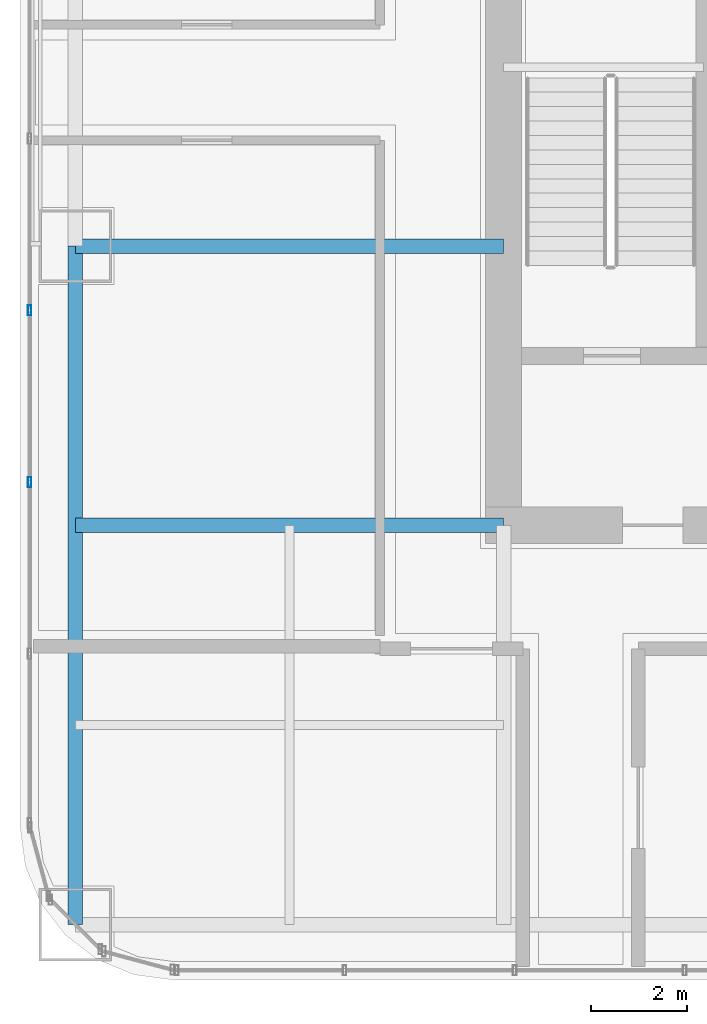
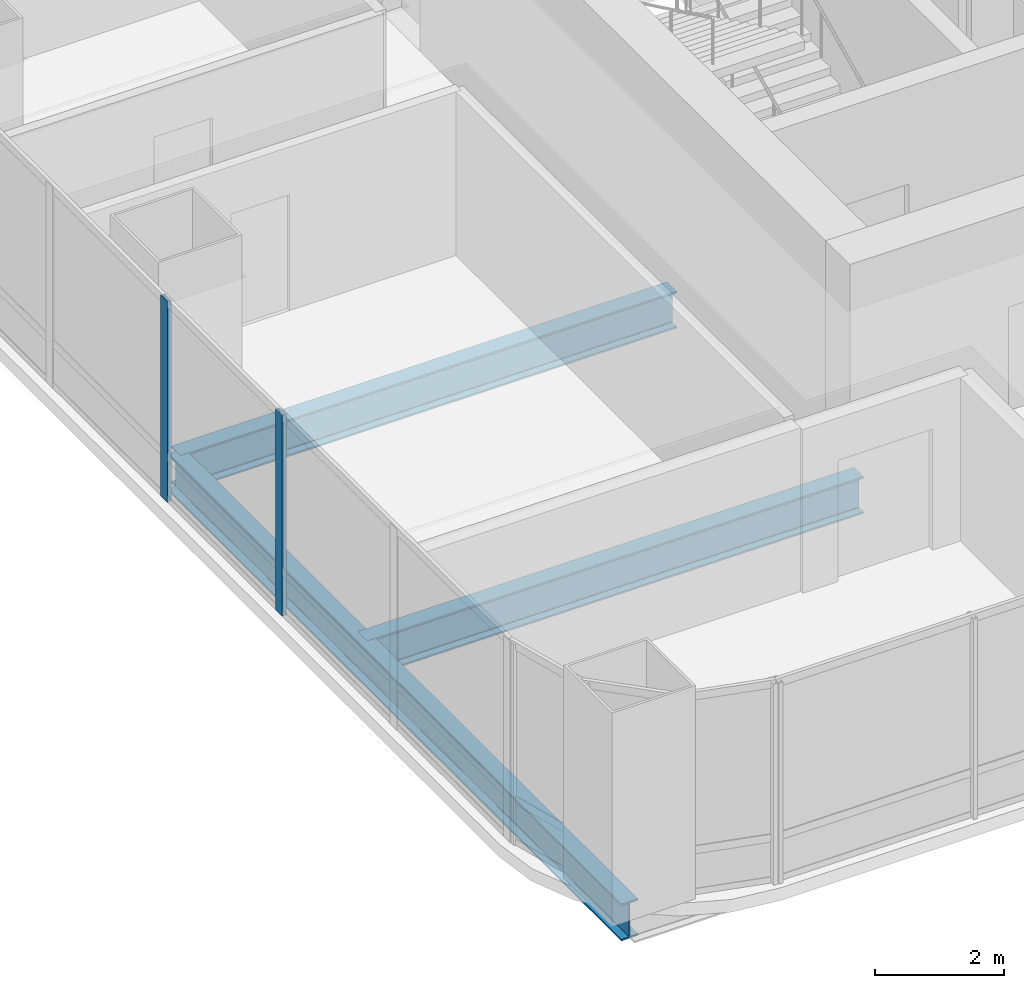
# One storey, part 4 of 34: 3 beams, 2 members, 1 element without a shape of its own.
"""IFC4 building model written with IfcOpenShell, lengths in metres."""

from ifc_helpers import new_model, si_unit, direction, frame, origin, origin_2d, place, context, subcontext, project, spatial, hollow_rectangle, i_section, extrude, material, material_profile, profile_set, type_object, element, aggregate, save


model = new_model("IFC4")

# Units and contexts
model_context = context("Model", 3, precision=1e-05, world=origin(), true_north=direction((0.0, 1.0)))
body_context = subcontext(model_context, "Body", "Model", "MODEL_VIEW")
ifc_project = project(units=[si_unit("LENGTHUNIT", "METRE"), si_unit("AREAUNIT", "SQUARE_METRE"), si_unit("VOLUMEUNIT", "CUBIC_METRE"), si_unit("PLANEANGLEUNIT", "RADIAN"), si_unit("MASSUNIT", "GRAM", prefix="KILO")], contexts=[model_context])

# Site, building, storey
site_placement = place(None, origin())
site = spatial("IfcSite", under=ifc_project, at=site_placement, CompositionType="ELEMENT")
building_placement = place(site_placement, origin())
building = spatial("IfcBuilding", under=site, at=building_placement, Name="Punatoya Terracotta Tower", CompositionType="ELEMENT")
storey_placement = place(building_placement, frame((0.0, 0.0, 101.10009765625)))
storey = spatial("IfcBuildingStorey", under=building, at=storey_placement, Name="L23", CompositionType="ELEMENT", Elevation=101.10009765625)

# Beams
ifc_material_1 = material(Name="Steel S355", Category="steel")
ifc_material_profile_1 = material_profile(ifc_material_1, i_section(OverallWidth=0.300048828125, OverallDepth=0.699951171875, WebThickness=0.01708984375, FlangeThickness=0.031982421875, FilletRadius=0.01806640625, at=origin_2d()))
ifc_profile_set_1 = profile_set([ifc_material_profile_1], Name="Steel S355")
beam_type = type_object("IfcBeamType", Name="BM-PRI-700", PredefinedType="BEAM", material=ifc_profile_set_1)
beam_placement = place(storey_placement, frame((-19.10009765625, -17.5, -0.590087890625), z_axis=(0.0, 1.0, 0.0), x_axis=(-1.0, 0.0, 0.0)))
element("IfcBeam", 1, at=beam_placement, inside=storey, type_object=beam_type, Name="BM-L23-RG-W1", PredefinedType="BEAM", context=body_context, shape_type="SweptSolid", body=[
    extrude(i_section(OverallWidth=0.300048828125, OverallDepth=0.699951171875, WebThickness=0.01708984375, FlangeThickness=0.031982421875, FilletRadius=0.01806640625, at=origin_2d()), origin(), (0.0, 0.0, 1.0), 14.10009765625),
])
for number, where, z_axis, x_axis, name in (
    (2, (-19.10009765625, -9.199951171875, -0.590087890625), (1.0, 0.0, 0.0), (0.0, 1.0, 0.0), "BM-L23-PR-WS"),
    (3, (-19.10009765625, -3.39990234375, -0.590087890625), (1.0, 0.0, 0.0), (0.0, 1.0, 0.0), "BM-L23-PR-WD"),
):
    element("IfcBeam", number, at=place(storey_placement, frame(where, z_axis=z_axis, x_axis=x_axis)), inside=storey, type_object=beam_type, Name=name, PredefinedType="BEAM", context=body_context, shape_type="SweptSolid", body=[
        extrude(i_section(OverallWidth=0.300048828125, OverallDepth=0.699951171875, WebThickness=0.01708984375, FlangeThickness=0.031982421875, FilletRadius=0.01806640625, at=origin_2d()), origin(), (0.0, 0.0, 1.0), 8.900146484375),
    ])

# Curtain wall, members
ifc_material_2 = material(Name="Aluminium 6063-T6 + Double Low-E Glass", Category="aluminium")
curtain_wall_type = type_object("IfcCurtainWallType", Name="CW-M1", PredefinedType="NOTDEFINED", material=ifc_material_2)
curtain_wall_placement = place(storey_placement, origin())
curtain_wall = element("IfcCurtainWall", 4, at=curtain_wall_placement, inside=storey, type_object=curtain_wall_type, Name="L23 Curtain Wall CW-L23-W13-1", PredefinedType="NOTDEFINED")
ifc_material_3 = material(Name="Aluminium 6063-T6", Category="aluminium")
ifc_material_profile_2 = material_profile(ifc_material_3, hollow_rectangle(XDim=0.074951171875, YDim=0.2099609375, WallThickness=0.00439453125, at=origin_2d()))
ifc_profile_set_2 = profile_set([ifc_material_profile_2], Name="Aluminium 6063-T6")
member_type = type_object("IfcMemberType", Name="CW-MUL-M1", PredefinedType="MULLION", material=ifc_profile_set_2)
member_1_placement = place(storey_placement, frame((-20.050048828125, -4.73486328125, 0.0), z_axis=(0.0, 0.0, 1.0), x_axis=(1.0, 0.0, 0.0)))
member_1 = element("IfcMember", 5, at=member_1_placement, type_object=member_type, Name="CW-L23-W13-1 Mullion 07", PredefinedType="MULLION", context=body_context, shape_type="SweptSolid", body=[
    extrude(hollow_rectangle(XDim=0.074951171875, YDim=0.2099609375, WallThickness=0.00439453125, at=origin_2d()), origin(), (0.0, 0.0, 1.0), 3.809814453125),
])
member_2_placement = place(storey_placement, frame((-20.050048828125, -8.302001953125, 0.0), z_axis=(0.0, 0.0, 1.0), x_axis=(1.0, 0.0, 0.0)))
member_2 = element("IfcMember", 6, at=member_2_placement, type_object=member_type, Name="CW-L23-W13-1 Mullion 08", PredefinedType="MULLION", context=body_context, shape_type="SweptSolid", body=[
    extrude(hollow_rectangle(XDim=0.074951171875, YDim=0.2099609375, WallThickness=0.00439453125, at=origin_2d()), origin(), (0.0, 0.0, 1.0), 3.809814453125),
])
aggregate(curtain_wall, [member_1, member_2])

save(model, "model.ifc")
